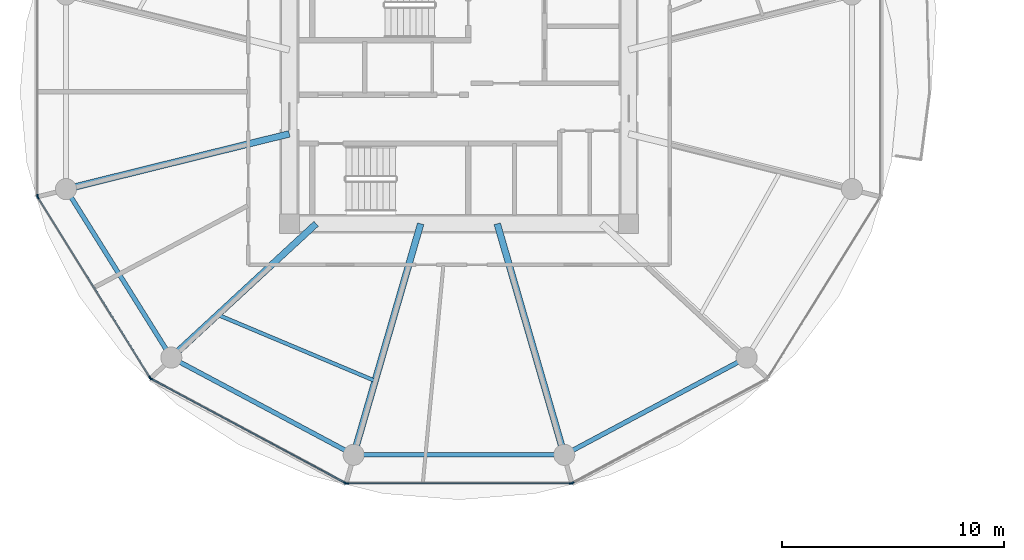
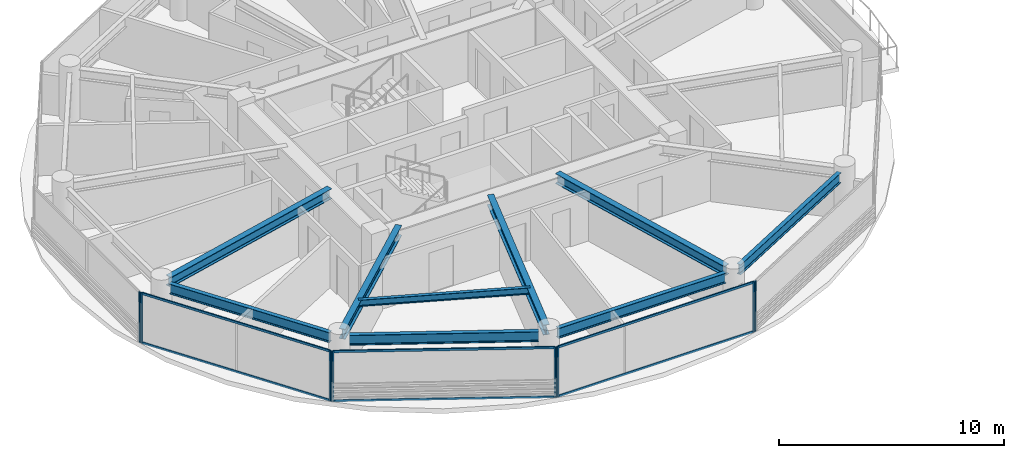
# One storey, part 2 of 26: 14 members, 9 beams, 5 elements without a shape of their own.
"""IFC4 building model written with IfcOpenShell, lengths in metres."""

import ifcopenshell
import ifcopenshell.guid

model = None  # the IFC model being written
_history = None  # IfcOwnerHistory: only IFC2X3 demands one
_inside = {}  # id of a spatial element -> (the spatial element, [elements in it])
_under = {}  # id of a project, library or spatial element -> (it, [spatial elements below it])
_declared = {}  # id of a project -> (the project, [libraries it declares])
_typed = {}  # id of a type object -> (the type object, [elements of that type])
_made_of = {}  # id of a material, layer set ... -> (it, [elements and type objects made of it])


def new_model(schema):
    """Start an empty IFC model of exactly this schema.

    Asked for "IFC4X3", IfcOpenShell would pick the latest addendum, in which some entities
    have other attributes; the version numbers below select the first issue.
    IFC2X3 requires an IfcOwnerHistory on every rooted entity: one is made here for all.
    """
    global model, _history
    if schema == "IFC4X3":
        model = ifcopenshell.file(schema_version=(4, 3, 0, 0))
    else:
        model = ifcopenshell.file(schema=schema)
    _inside.clear()
    _under.clear()
    _declared.clear()
    _typed.clear()
    _made_of.clear()
    _history = None
    if model.schema == "IFC2X3":
        org = make("IfcOrganization", Name="unknown")
        user = make(
            "IfcPersonAndOrganization",
            ThePerson=make("IfcPerson", FamilyName="unknown"),
            TheOrganization=org,
        )
        app = make(
            "IfcApplication",
            ApplicationDeveloper=org,
            Version="unknown",
            ApplicationFullName="unknown",
            ApplicationIdentifier="unknown",
        )
        _history = make(
            "IfcOwnerHistory",
            OwningUser=user,
            OwningApplication=app,
            ChangeAction="ADDED",
            CreationDate=0,
        )
    return model


def make(cls, **values):
    """One entity of the class cls with the attributes given. An attribute that is None is left unset."""
    return model.create_entity(
        cls, **{name: value for name, value in values.items() if value is not None}
    )


def rooted(cls, **values):
    """An entity with a GlobalId (a new one), such as an element, a storey or a relation."""
    return make(cls, GlobalId=ifcopenshell.guid.new(), OwnerHistory=_history, **values)


def si_unit(unit_type, name, prefix=None):
    """IfcSIUnit, for example si_unit("LENGTHUNIT", "METRE", prefix="MILLI")."""
    return make("IfcSIUnit", UnitType=unit_type, Prefix=prefix, Name=name)


def assignment(units):
    """IfcUnitAssignment: the units of a project."""
    return None if units is None else make("IfcUnitAssignment", Units=units)


def point(xyz):
    """IfcCartesianPoint."""
    return None if xyz is None else make("IfcCartesianPoint", Coordinates=xyz)


def direction(xyz):
    """IfcDirection."""
    return None if xyz is None else make("IfcDirection", DirectionRatios=xyz)


def frame(location, z_axis=None, x_axis=None):
    """IfcAxis2Placement3D, a coordinate frame: its origin and axes. An axis left out is left unset."""
    return make(
        "IfcAxis2Placement3D",
        Location=point(location),
        Axis=direction(z_axis),
        RefDirection=direction(x_axis),
    )


def frame_2d(location, x_axis=None):
    """IfcAxis2Placement2D, a coordinate frame in the plane: its origin and x axis."""
    return make(
        "IfcAxis2Placement2D", Location=point(location), RefDirection=direction(x_axis)
    )


def origin():
    """The frame at (0, 0, 0) with its axes left unset."""
    return frame((0.0, 0.0, 0.0))


def origin_2d():
    """The frame at (0, 0) in the plane with its x axis left unset."""
    return frame_2d((0.0, 0.0))


def place(relative_to, where):
    """IfcLocalPlacement: puts the frame where relative to a parent placement (None: the world)."""
    return make(
        "IfcLocalPlacement", PlacementRelTo=relative_to, RelativePlacement=where
    )


def context(
    kind, dimensions, precision=None, world=None, true_north=None, identifier=None
):
    """IfcGeometricRepresentationContext, for example the 3D "Model" context."""
    return make(
        "IfcGeometricRepresentationContext",
        ContextIdentifier=identifier,
        ContextType=kind,
        CoordinateSpaceDimension=dimensions,
        Precision=precision,
        WorldCoordinateSystem=world,
        TrueNorth=true_north,
    )


def subcontext(parent, identifier, kind, view, scale=None):
    """IfcGeometricRepresentationSubContext, for example "Body" below "Model"."""
    return make(
        "IfcGeometricRepresentationSubContext",
        ContextIdentifier=identifier,
        ContextType=kind,
        ParentContext=parent,
        TargetScale=scale,
        TargetView=view,
    )


def project(units=None, contexts=None):
    """IfcProject with its units and contexts."""
    return rooted(
        "IfcProject",
        Name="project",
        RepresentationContexts=contexts,
        UnitsInContext=assignment(units),
    )


def spatial(cls, under=None, at=None, **own):
    """A site, building, storey or space (cls), placed at a placement, below another one or the project."""
    s = rooted(cls, ObjectPlacement=at, **own)
    if under is not None:
        _under.setdefault(under.id(), (under, []))[1].append(s)
    return s


def profile(cls, at=None, kind="AREA", **sizes):
    """A parametric profile (cls). Its sizes go by their IFC names, for example OverallWidth=200.0."""
    return make(cls, ProfileType=kind, Position=at, **sizes)


def rectangle(**sizes):
    """IfcRectangleProfileDef."""
    return profile("IfcRectangleProfileDef", **sizes)


def i_section(**sizes):
    """IfcIShapeProfileDef."""
    return profile("IfcIShapeProfileDef", **sizes)


def extrude(swept, where, along, depth):
    """IfcExtrudedAreaSolid: the profile swept, set in the frame where, extruded along a direction by depth."""
    return make(
        "IfcExtrudedAreaSolid",
        SweptArea=swept,
        Position=where,
        ExtrudedDirection=direction(along),
        Depth=depth,
    )


def shape(context_of_items, identifier, shape_type, items):
    """IfcShapeRepresentation: the items that make up one representation, for example the "Body"."""
    return make(
        "IfcShapeRepresentation",
        ContextOfItems=context_of_items,
        RepresentationIdentifier=identifier,
        RepresentationType=shape_type,
        Items=items,
    )


def source(mapping_origin, context_of_items, identifier, shape_type, items):
    """IfcRepresentationMap: a shape defined once, which mapped items show again and again."""
    return make(
        "IfcRepresentationMap",
        MappingOrigin=mapping_origin,
        MappedRepresentation=shape(context_of_items, identifier, shape_type, items),
    )


def transform(
    local_origin,
    x_axis=None,
    y_axis=None,
    z_axis=None,
    scale=None,
    scale2=None,
    scale3=None,
    uniform=True,
):
    """IfcCartesianTransformationOperator3D, or its non-uniform kind. x_axis, y_axis, z_axis: its Axis1, 2, 3."""
    if uniform:
        return make(
            "IfcCartesianTransformationOperator3D",
            Axis1=direction(x_axis),
            Axis2=direction(y_axis),
            LocalOrigin=point(local_origin),
            Scale=scale,
            Axis3=direction(z_axis),
        )
    return make(
        "IfcCartesianTransformationOperator3DnonUniform",
        Axis1=direction(x_axis),
        Axis2=direction(y_axis),
        LocalOrigin=point(local_origin),
        Scale=scale,
        Axis3=direction(z_axis),
        Scale2=scale2,
        Scale3=scale3,
    )


def mapped(mapping_source, mapping_target):
    """IfcMappedItem: shows the shape of a source again, moved by a transform."""
    return make(
        "IfcMappedItem", MappingSource=mapping_source, MappingTarget=mapping_target
    )


def material(Name=None, Category=None):
    """IfcMaterial."""
    return make("IfcMaterial", Name=Name, Category=Category)


def layer(
    of_material, thickness, ventilated=None, Name=None, Category=None, Priority=None
):
    """IfcMaterialLayer: one layer of a wall or slab, of a material (None: an air gap)."""
    return make(
        "IfcMaterialLayer",
        Material=of_material,
        LayerThickness=thickness,
        IsVentilated=ventilated,
        Name=Name,
        Category=Category,
        Priority=Priority,
    )


def layer_set(layers, Name=None):
    """IfcMaterialLayerSet."""
    return make("IfcMaterialLayerSet", MaterialLayers=layers, LayerSetName=Name)


def material_profile(
    of_material, cross_section, Name=None, Category=None, Priority=None
):
    """IfcMaterialProfile: a cross section and its material."""
    return make(
        "IfcMaterialProfile",
        Name=Name,
        Material=of_material,
        Profile=cross_section,
        Priority=Priority,
        Category=Category,
    )


def profile_set(profiles, Name=None, composite=None):
    """IfcMaterialProfileSet."""
    return make(
        "IfcMaterialProfileSet",
        Name=Name,
        MaterialProfiles=profiles,
        CompositeProfile=composite,
    )


def made_of(thing, what):
    """Note that an element or type object is made of a material, layer set ...; save() writes the relation."""
    if what is not None:
        _made_of.setdefault(what.id(), (what, []))[1].append(thing)
    return thing


def type_object(cls, material=None, **own):
    """A type object (cls), such as IfcWallType, which elements share."""
    return made_of(rooted(cls, **own), material)


def type_shapes(of_type, sources):
    """Give a type object the sources (RepresentationMaps) that its elements show as mapped items."""
    of_type.RepresentationMaps = sources


def element(
    cls,
    number,
    at=None,
    inside=None,
    cuts=None,
    type_object=None,
    material=None,
    context=None,
    identifier="Body",
    shape_type=None,
    held_by="IfcProductDefinitionShape",
    body=None,
    shapes=None,
    **own,
):
    """One element of the class cls, such as IfcWall. Its Tag is "e" and its number.

    at: its placement. inside: the storey or other place that contains it. cuts: it is an
    opening in that element (IfcRelVoidsElement). A single representation is given by context,
    identifier, shape_type and body (its items); several are given by shapes. held_by: the class
    of the entity that holds the representations. save() writes the other relations.
    """
    e = rooted(cls, Tag="e%d" % number, ObjectPlacement=at, **own)
    if body is not None:
        shapes = [shape(context, identifier, shape_type, body)]
    if shapes is not None:
        e.Representation = make(held_by, Representations=shapes)
    if inside is not None:
        _inside.setdefault(inside.id(), (inside, []))[1].append(e)
    if cuts is not None:
        rooted(
            "IfcRelVoidsElement", RelatingBuildingElement=cuts, RelatedOpeningElement=e
        )
    if type_object is not None:
        _typed.setdefault(type_object.id(), (type_object, []))[1].append(e)
    return made_of(e, material)


def aggregate(whole, parts):
    """IfcRelAggregates: a whole, such as a stair, and the parts it consists of."""
    return rooted("IfcRelAggregates", RelatingObject=whole, RelatedObjects=parts)


def save(model, path):
    """Write the relations noted so far, then the file.

    IfcRelAggregates (storeys below a building ...), IfcRelContainedInSpatialStructure (elements
    in a storey), IfcRelDefinesByType, IfcRelAssociatesMaterial and IfcRelDeclares: one each for
    every whole, place, type object, material and project.
    """
    for whole, parts in _under.values():
        aggregate(whole, parts)
    for where, things in _inside.values():
        rooted(
            "IfcRelContainedInSpatialStructure",
            RelatedElements=things,
            RelatingStructure=where,
        )
    for kind, things in _typed.values():
        rooted("IfcRelDefinesByType", RelatedObjects=things, RelatingType=kind)
    for what, things in _made_of.values():
        rooted("IfcRelAssociatesMaterial", RelatedObjects=things, RelatingMaterial=what)
    for by, libraries in _declared.values():
        rooted("IfcRelDeclares", RelatingContext=by, RelatedDefinitions=libraries)
    model.write(path)


model = new_model("IFC4")

# Units and contexts
model_context = context("Model", 3, precision=1e-05, world=origin(), true_north=direction((0.0, 1.0)))
body_context = subcontext(model_context, "Body", "Model", "MODEL_VIEW")
ifc_project = project(units=[si_unit("LENGTHUNIT", "METRE"), si_unit("AREAUNIT", "SQUARE_METRE"), si_unit("VOLUMEUNIT", "CUBIC_METRE"), si_unit("PLANEANGLEUNIT", "RADIAN"), si_unit("MASSUNIT", "GRAM", prefix="KILO")], contexts=[model_context])

# Site, building, storey
site_placement = place(None, origin())
site = spatial("IfcSite", under=ifc_project, at=site_placement, CompositionType="ELEMENT")
building_placement = place(site_placement, origin())
building = spatial("IfcBuilding", under=site, at=building_placement, Name="Norrkilde Senior Care Towers", CompositionType="ELEMENT")
storey_placement = place(building_placement, frame((0.0, 0.0, 70.39990234375)))
storey = spatial("IfcBuildingStorey", under=building, at=storey_placement, Name="L21", CompositionType="ELEMENT", Elevation=70.39990234375)

# Beams
ifc_material_1 = material(Name="Steel S355", Category="steel")
ifc_material_profile_1 = material_profile(ifc_material_1, i_section(OverallWidth=0.2099609375, OverallDepth=0.550048828125, WebThickness=0.010986328125, FlangeThickness=0.01708984375, FilletRadius=0.02392578125, at=origin_2d()), Name="IPE 550")
ifc_profile_set_1 = profile_set([ifc_material_profile_1], Name="Steel S355")
beam_type_1 = type_object("IfcBeamType", Name="Perimeter Ring Spandrel Z1 IPE550", PredefinedType="SPANDREL", material=ifc_profile_set_1)
shared_shape_1 = source(origin(), body_context, "Body", "SweptSolid", [
    extrude(i_section(OverallWidth=0.2099609375, OverallDepth=0.550048828125, WebThickness=0.010986328125, FlangeThickness=0.01708984375, FilletRadius=0.02392578125, at=origin_2d()), origin(), (0.0, 0.0, 1.0), 8.090576171875),
])
beam_1_placement = place(storey_placement, frame((-45.494140625, -4.755859375, 2.455078125), z_axis=(0.530004364821, -0.84799491347, 0.0), x_axis=(0.84799491347, 0.530004364821, 0.0)))
element("IfcBeam", 1, at=beam_1_placement, inside=storey, type_object=beam_type_1, Name="L21 Drum W Perimeter Spandrel 07", PredefinedType="SPANDREL", context=body_context, shape_type="MappedRepresentation", body=[
    mapped(shared_shape_1, transform((0.0, 0.0, 0.0), x_axis=(1.0, 0.0, 0.0), y_axis=(0.0, 1.0, 0.0), z_axis=(0.0, 0.0, 1.0), scale=1.0)),
])
ifc_material_profile_2 = material_profile(ifc_material_1, i_section(OverallWidth=0.300048828125, OverallDepth=0.550048828125, WebThickness=0.014892578125, FlangeThickness=0.029052734375, FilletRadius=0.027099609375, at=origin_2d()), Name="HEB 550")
ifc_profile_set_2 = profile_set([ifc_material_profile_2], Name="Steel S355")
beam_type_2 = type_object("IfcBeamType", Name="Radial Floor Beam Z1 HEB550", PredefinedType="BEAM", material=ifc_profile_set_2)
shared_shape_2 = source(origin(), body_context, "Body", "SweptSolid", [
    extrude(i_section(OverallWidth=0.300048828125, OverallDepth=0.550048828125, WebThickness=0.014892578125, FlangeThickness=0.029052734375, FilletRadius=0.027099609375, at=origin_2d()), origin(), (0.0, 0.0, 1.0), 9.94384765625),
])
beam_2_placement = place(storey_placement, frame((-35.64990234375, -1.893310546875, 2.455078125), z_axis=(-0.970707425182, -0.240264634718, 0.0), x_axis=(0.240264634718, -0.970707425182, 0.0)))
element("IfcBeam", 2, at=beam_2_placement, inside=storey, type_object=beam_type_2, Name="L21 Drum W Radial Floor Beam 07", PredefinedType="BEAM", context=body_context, shape_type="MappedRepresentation", body=[
    mapped(shared_shape_2, transform((0.0, 0.0, 0.0), x_axis=(1.0, 0.0, 0.0), y_axis=(0.0, 1.0, 0.0), z_axis=(0.0, 0.0, 1.0), scale=1.0)),
])
shared_shape_3 = source(origin(), body_context, "Body", "SweptSolid", [
    extrude(i_section(OverallWidth=0.2099609375, OverallDepth=0.550048828125, WebThickness=0.010986328125, FlangeThickness=0.01708984375, FilletRadius=0.02392578125, at=origin_2d()), origin(), (0.0, 0.0, 1.0), 8.452880859375),
])
for number, where, z_axis, x_axis, name in (
    (3, (-40.591552734375, -12.190185546875, 2.455078125), (0.882368931134, -0.470558252898, 0.0), (0.470558252898, 0.882368931134, 0.0), "L21 Drum W Perimeter Spandrel 08"),
    (4, (-22.866943359375, -16.167724609375, 2.455078125), (0.882368931134, 0.470558252898, 0.0), (-0.470558252898, 0.882368931134, 0.0), "L21 Drum W Perimeter Spandrel 10"),
):
    element("IfcBeam", number, at=place(storey_placement, frame(where, z_axis=z_axis, x_axis=x_axis)), inside=storey, type_object=beam_type_1, Name=name, PredefinedType="SPANDREL", context=body_context, shape_type="MappedRepresentation", body=[
        mapped(shared_shape_3, transform((0.0, 0.0, 0.0), x_axis=(1.0, 0.0, 0.0), y_axis=(0.0, 1.0, 0.0), z_axis=(0.0, 0.0, 1.0), scale=1.0)),
    ])
shared_shape_4 = source(origin(), body_context, "Body", "SweptSolid", [
    extrude(i_section(OverallWidth=0.300048828125, OverallDepth=0.550048828125, WebThickness=0.014892578125, FlangeThickness=0.029052734375, FilletRadius=0.027099609375, at=origin_2d()), origin(), (0.0, 0.0, 1.0), 8.459716796875),
])
beam_3_placement = place(storey_placement, frame((-34.44140625, -5.949951171875, 2.455078125), z_axis=(-0.734573269108, -0.678529374686, 0.0), x_axis=(0.678529374686, -0.734573269108, 0.0)))
element("IfcBeam", 5, at=beam_3_placement, inside=storey, type_object=beam_type_2, Name="L21 Drum W Radial Floor Beam 08", PredefinedType="BEAM", context=body_context, shape_type="MappedRepresentation", body=[
    mapped(shared_shape_4, transform((0.0, 0.0, 0.0), x_axis=(1.0, 0.0, 0.0), y_axis=(0.0, 1.0, 0.0), z_axis=(0.0, 0.0, 1.0), scale=1.0)),
])
shared_shape_5 = source(origin(), body_context, "Body", "SweptSolid", [
    extrude(i_section(OverallWidth=0.2099609375, OverallDepth=0.550048828125, WebThickness=0.010986328125, FlangeThickness=0.01708984375, FilletRadius=0.02392578125, at=origin_2d()), origin(), (0.0, 0.0, 1.0), 8.62841796875),
])
type_shapes(beam_type_1, [shared_shape_1, shared_shape_3, shared_shape_5])
beam_4_placement = place(storey_placement, frame((-32.314208984375, -16.37255859375, 2.455078125), z_axis=(1.0, 0.0, 0.0), x_axis=(0.0, 1.0, 0.0)))
element("IfcBeam", 6, at=beam_4_placement, inside=storey, type_object=beam_type_1, Name="L21 Drum W Perimeter Spandrel 09", PredefinedType="SPANDREL", context=body_context, shape_type="MappedRepresentation", body=[
    mapped(shared_shape_5, transform((0.0, 0.0, 0.0), x_axis=(1.0, 0.0, 0.0), y_axis=(0.0, 1.0, 0.0), z_axis=(0.0, 0.0, 1.0), scale=1.0)),
])
shared_shape_6 = source(origin(), body_context, "Body", "SweptSolid", [
    extrude(i_section(OverallWidth=0.300048828125, OverallDepth=0.550048828125, WebThickness=0.014892578125, FlangeThickness=0.029052734375, FilletRadius=0.027099609375, at=origin_2d()), origin(), (0.0, 0.0, 1.0), 10.4169921875),
])
type_shapes(beam_type_2, [shared_shape_2, shared_shape_4, shared_shape_6])
for number, where, z_axis, x_axis, name in (
    (7, (-29.72607421875, -5.949951171875, 2.455078125), (-0.278591250785, -0.960409764104, 0.0), (0.960409764104, -0.278591250785, 0.0), "L21 Drum W Radial Floor Beam 09"),
    (8, (-26.27392578125, -5.949951171875, 2.455078125), (0.278591250785, -0.960409764104, 0.0), (0.960409764104, 0.278591250785, 0.0), "L21 Drum W Radial Floor Beam 10"),
):
    element("IfcBeam", number, at=place(storey_placement, frame(where, z_axis=z_axis, x_axis=x_axis)), inside=storey, type_object=beam_type_2, Name=name, PredefinedType="BEAM", context=body_context, shape_type="MappedRepresentation", body=[
        mapped(shared_shape_6, transform((0.0, 0.0, 0.0), x_axis=(1.0, 0.0, 0.0), y_axis=(0.0, 1.0, 0.0), z_axis=(0.0, 0.0, 1.0), scale=1.0)),
    ])
ifc_material_profile_3 = material_profile(ifc_material_1, i_section(OverallWidth=0.169921875, OverallDepth=0.360107421875, WebThickness=0.008056640625, FlangeThickness=0.0126953125, FilletRadius=0.01806640625, at=origin_2d()), Name="IPE 360")
ifc_profile_set_3 = profile_set([ifc_material_profile_3], Name="Steel S355")
beam_type_3 = type_object("IfcBeamType", Name="Secondary Floor Joist IPE360", PredefinedType="JOIST", material=ifc_profile_set_3)
shared_shape_7 = source(origin(), body_context, "Body", "SweptSolid", [
    extrude(i_section(OverallWidth=0.169921875, OverallDepth=0.360107421875, WebThickness=0.008056640625, FlangeThickness=0.0126953125, FilletRadius=0.01806640625, at=origin_2d()), origin(), (0.0, 0.0, 1.0), 7.703857421875),
])
type_shapes(beam_type_3, [shared_shape_7])
beam_5_placement = place(storey_placement, frame((-38.884521484375, -10.05419921875, 2.550048828125), z_axis=(0.921982784465, -0.387230868023, 0.0), x_axis=(0.387230868023, 0.921982784465, 0.0)))
element("IfcBeam", 9, at=beam_5_placement, inside=storey, type_object=beam_type_3, Name="L21 Drum W Secondary Floor Joist 3", PredefinedType="JOIST", context=body_context, shape_type="MappedRepresentation", body=[
    mapped(shared_shape_7, transform((0.0, 0.0, 0.0), x_axis=(1.0, 0.0, 0.0), y_axis=(0.0, 1.0, 0.0), z_axis=(0.0, 0.0, 1.0), scale=1.0)),
])

# Curtain wall, members
ifc_material_2 = material(Name="Triple Low-E Insulated Glazing", Category="glass")
ifc_layer = layer(ifc_material_2, 0.199951171875)
ifc_layer_set = layer_set([ifc_layer], Name="Triple Low-E Insulated Glazing")
curtain_wall_type = type_object("IfcCurtainWallType", Name="CW2 Zone 1 Memory Care Curtain Wall", PredefinedType="NOTDEFINED", material=ifc_layer_set)
curtain_wall_1_placement = place(storey_placement, origin())
curtain_wall_1 = element("IfcCurtainWall", 10, at=curtain_wall_1_placement, inside=storey, type_object=curtain_wall_type, Name="L21 Drum W Curtain Wall 06", PredefinedType="NOTDEFINED")
ifc_material_3 = material(Name="Anodised Aluminium", Category="aluminium")
ifc_material_profile_4 = material_profile(ifc_material_3, rectangle(XDim=0.06005859375, YDim=0.1201171875, at=origin_2d()), Name="ALU TRAN 60x120")
ifc_profile_set_4 = profile_set([ifc_material_profile_4], Name="Anodised Aluminium")
member_type_1 = type_object("IfcMemberType", Name="Curtain Wall Transom Typical 60x120", PredefinedType="USERDEFINED", material=ifc_profile_set_4)
shared_shape_8 = source(origin(), body_context, "Body", "SweptSolid", [
    extrude(rectangle(XDim=0.06005859375, YDim=0.1201171875, at=origin_2d()), origin(), (0.0, 0.0, 1.0), 9.5185546875),
])
member_1_placement = place(storey_placement, frame((-41.9501953125, -12.87060546875, 0.030029296875), z_axis=(-0.527901620669, 0.849305527413, 0.0), x_axis=(-0.849305527413, -0.527901620669, 0.0)))
member_1 = element("IfcMember", 11, at=member_1_placement, type_object=member_type_1, Name="CW-2 transom 1.1", ObjectType="TRANSOM", PredefinedType="USERDEFINED", context=body_context, shape_type="MappedRepresentation", body=[
    mapped(shared_shape_8, transform((0.0, 0.0, 0.0), x_axis=(1.0, 0.0, 0.0), y_axis=(0.0, 1.0, 0.0), z_axis=(0.0, 0.0, 1.0), scale=1.0)),
])
member_2_placement = place(storey_placement, frame((-41.9501953125, -12.87060546875, 2.7001953125), z_axis=(-0.527901620669, 0.849305527413, 0.0), x_axis=(-0.849305527413, -0.527901620669, 0.0)))
member_2 = element("IfcMember", 12, at=member_2_placement, type_object=member_type_1, Name="CW-2 transom 1.2", ObjectType="TRANSOM", PredefinedType="USERDEFINED", context=body_context, shape_type="MappedRepresentation", body=[
    mapped(shared_shape_8, transform((0.0, 0.0, 0.0), x_axis=(1.0, 0.0, 0.0), y_axis=(0.0, 1.0, 0.0), z_axis=(0.0, 0.0, 1.0), scale=1.0)),
])

curtain_wall_2_placement = place(storey_placement, origin())
curtain_wall_2 = element("IfcCurtainWall", 13, at=curtain_wall_2_placement, inside=storey, type_object=curtain_wall_type, Name="L21 Drum W Curtain Wall 07", PredefinedType="NOTDEFINED")
shared_shape_9 = source(origin(), body_context, "Body", "SweptSolid", [
    extrude(rectangle(XDim=0.06005859375, YDim=0.1201171875, at=origin_2d()), origin(), (0.0, 0.0, 1.0), 9.880859375),
])
member_3_placement = place(storey_placement, frame((-33.15087890625, -17.62646484375, 0.030029296875), z_axis=(-0.881267204043, 0.47261836092, 0.0), x_axis=(-0.47261836092, -0.881267204043, 0.0)))
member_3 = element("IfcMember", 14, at=member_3_placement, type_object=member_type_1, Name="CW-2 transom 1.1", ObjectType="TRANSOM", PredefinedType="USERDEFINED", context=body_context, shape_type="MappedRepresentation", body=[
    mapped(shared_shape_9, transform((0.0, 0.0, 0.0), x_axis=(1.0, 0.0, 0.0), y_axis=(0.0, 1.0, 0.0), z_axis=(0.0, 0.0, 1.0), scale=1.0)),
])
member_4_placement = place(storey_placement, frame((-33.15087890625, -17.62646484375, 2.7001953125), z_axis=(-0.881267204043, 0.47261836092, 0.0), x_axis=(-0.47261836092, -0.881267204043, 0.0)))
member_4 = element("IfcMember", 15, at=member_4_placement, type_object=member_type_1, Name="CW-2 transom 1.2", ObjectType="TRANSOM", PredefinedType="USERDEFINED", context=body_context, shape_type="MappedRepresentation", body=[
    mapped(shared_shape_9, transform((0.0, 0.0, 0.0), x_axis=(1.0, 0.0, 0.0), y_axis=(0.0, 1.0, 0.0), z_axis=(0.0, 0.0, 1.0), scale=1.0)),
])

curtain_wall_3_placement = place(storey_placement, origin())
curtain_wall_3 = element("IfcCurtainWall", 16, at=curtain_wall_3_placement, inside=storey, type_object=curtain_wall_type, Name="L21 Drum W Curtain Wall 08", PredefinedType="NOTDEFINED")
shared_shape_10 = source(origin(), body_context, "Body", "SweptSolid", [
    extrude(rectangle(XDim=0.06005859375, YDim=0.1201171875, at=origin_2d()), origin(), (0.0, 0.0, 1.0), 10.05712890625),
])
type_shapes(member_type_1, [shared_shape_8, shared_shape_9, shared_shape_10])
member_5_placement = place(storey_placement, frame((-22.971435546875, -17.6572265625, 0.030029296875), z_axis=(-1.0, 0.0, 0.0), x_axis=(0.0, -1.0, 0.0)))
member_5 = element("IfcMember", 17, at=member_5_placement, type_object=member_type_1, Name="CW-2 transom 1.1", ObjectType="TRANSOM", PredefinedType="USERDEFINED", context=body_context, shape_type="MappedRepresentation", body=[
    mapped(shared_shape_10, transform((0.0, 0.0, 0.0), x_axis=(1.0, 0.0, 0.0), y_axis=(0.0, 1.0, 0.0), z_axis=(0.0, 0.0, 1.0), scale=1.0)),
])
member_6_placement = place(storey_placement, frame((-22.971435546875, -17.6572265625, 2.7001953125), z_axis=(-1.0, 0.0, 0.0), x_axis=(0.0, -1.0, 0.0)))
member_6 = element("IfcMember", 18, at=member_6_placement, type_object=member_type_1, Name="CW-2 transom 1.2", ObjectType="TRANSOM", PredefinedType="USERDEFINED", context=body_context, shape_type="MappedRepresentation", body=[
    mapped(shared_shape_10, transform((0.0, 0.0, 0.0), x_axis=(1.0, 0.0, 0.0), y_axis=(0.0, 1.0, 0.0), z_axis=(0.0, 0.0, 1.0), scale=1.0)),
])

# Curtain wall, member
curtain_wall_4_placement = place(storey_placement, origin())
curtain_wall_4 = element("IfcCurtainWall", 19, at=curtain_wall_4_placement, inside=storey, type_object=curtain_wall_type, Name="L21 Drum W Curtain Wall 05", PredefinedType="NOTDEFINED")
ifc_material_profile_5 = material_profile(ifc_material_3, rectangle(XDim=0.06494140625, YDim=0.159912109375, at=origin_2d()), Name="ALU MULL 65x160")
ifc_profile_set_5 = profile_set([ifc_material_profile_5], Name="Anodised Aluminium")
member_type_2 = type_object("IfcMemberType", Name="Curtain Wall Mullion Z1-Z2 65x160", PredefinedType="MULLION", material=ifc_profile_set_5)
shared_shape_11 = source(origin(), body_context, "Body", "SweptSolid", [
    extrude(rectangle(XDim=0.06494140625, YDim=0.159912109375, at=origin_2d()), origin(), (0.0, 0.0, 1.0), 2.72998046875),
])
type_shapes(member_type_2, [shared_shape_11])
member_7_placement = place(storey_placement, frame((-47.009521484375, -4.69873046875, 0.0), z_axis=(0.0, 0.0, 1.0), x_axis=(-1.0, 0.0, 0.0)))
member_7 = element("IfcMember", 20, at=member_7_placement, type_object=member_type_2, Name="CW-2 mullion 1", PredefinedType="MULLION", context=body_context, shape_type="MappedRepresentation", body=[
    mapped(shared_shape_11, transform((0.0, 0.0, 0.0), x_axis=(1.0, 0.0, 0.0), y_axis=(0.0, 1.0, 0.0), z_axis=(0.0, 0.0, 1.0), scale=1.0)),
])
aggregate(curtain_wall_4, [member_7])

# Member
member_8_placement = place(storey_placement, frame((-41.93310546875, -12.898193359375, 0.0), z_axis=(0.0, 0.0, 1.0), x_axis=(-0.849305943117, -0.527900951871, 0.0)))
member_8 = element("IfcMember", 21, at=member_8_placement, type_object=member_type_2, Name="CW-2 mullion 1", PredefinedType="MULLION", context=body_context, shape_type="MappedRepresentation", body=[
    mapped(shared_shape_11, transform((0.0, 0.0, 0.0), x_axis=(1.0, 0.0, 0.0), y_axis=(0.0, 1.0, 0.0), z_axis=(0.0, 0.0, 1.0), scale=1.0)),
])

member_9_placement = place(storey_placement, frame((-46.9921875, -4.7587890625, 0.0), z_axis=(0.0, 0.0, 1.0), x_axis=(-0.849305943117, -0.527900951871, 0.0)))
member_9 = element("IfcMember", 22, at=member_9_placement, type_object=member_type_2, Name="CW-2 mullion 2", PredefinedType="MULLION", context=body_context, shape_type="MappedRepresentation", body=[
    mapped(shared_shape_11, transform((0.0, 0.0, 0.0), x_axis=(1.0, 0.0, 0.0), y_axis=(0.0, 1.0, 0.0), z_axis=(0.0, 0.0, 1.0), scale=1.0)),
])

aggregate(curtain_wall_1, [member_8, member_9, member_1, member_2])

member_10_placement = place(storey_placement, frame((-33.122314453125, -17.641845703125, 0.0), z_axis=(0.0, 0.0, 1.0), x_axis=(-0.472607802456, -0.881272866403, 0.0)))
member_10 = element("IfcMember", 23, at=member_10_placement, type_object=member_type_2, Name="CW-2 mullion 1", PredefinedType="MULLION", context=body_context, shape_type="MappedRepresentation", body=[
    mapped(shared_shape_11, transform((0.0, 0.0, 0.0), x_axis=(1.0, 0.0, 0.0), y_axis=(0.0, 1.0, 0.0), z_axis=(0.0, 0.0, 1.0), scale=1.0)),
])

member_11_placement = place(storey_placement, frame((-41.88720703125, -12.941162109375, 0.0), z_axis=(0.0, 0.0, 1.0), x_axis=(-0.472607802456, -0.881272866403, 0.0)))
member_11 = element("IfcMember", 24, at=member_11_placement, type_object=member_type_2, Name="CW-2 mullion 2", PredefinedType="MULLION", context=body_context, shape_type="MappedRepresentation", body=[
    mapped(shared_shape_11, transform((0.0, 0.0, 0.0), x_axis=(1.0, 0.0, 0.0), y_axis=(0.0, 1.0, 0.0), z_axis=(0.0, 0.0, 1.0), scale=1.0)),
])

aggregate(curtain_wall_2, [member_10, member_11, member_3, member_4])

member_12_placement = place(storey_placement, frame((-22.93896484375, -17.6572265625, 0.0), z_axis=(0.0, 0.0, 1.0), x_axis=(0.0, -1.0, 0.0)))
member_12 = element("IfcMember", 25, at=member_12_placement, type_object=member_type_2, Name="CW-2 mullion 1", PredefinedType="MULLION", context=body_context, shape_type="MappedRepresentation", body=[
    mapped(shared_shape_11, transform((0.0, 0.0, 0.0), x_axis=(1.0, 0.0, 0.0), y_axis=(0.0, 1.0, 0.0), z_axis=(0.0, 0.0, 1.0), scale=1.0)),
])

member_13_placement = place(storey_placement, frame((-33.06103515625, -17.6572265625, 0.0), z_axis=(0.0, 0.0, 1.0), x_axis=(0.0, -1.0, 0.0)))
member_13 = element("IfcMember", 26, at=member_13_placement, type_object=member_type_2, Name="CW-2 mullion 2", PredefinedType="MULLION", context=body_context, shape_type="MappedRepresentation", body=[
    mapped(shared_shape_11, transform((0.0, 0.0, 0.0), x_axis=(1.0, 0.0, 0.0), y_axis=(0.0, 1.0, 0.0), z_axis=(0.0, 0.0, 1.0), scale=1.0)),
])

aggregate(curtain_wall_3, [member_12, member_13, member_5, member_6])

# Curtain wall, member
curtain_wall_5_placement = place(storey_placement, origin())
curtain_wall_5 = element("IfcCurtainWall", 27, at=curtain_wall_5_placement, inside=storey, type_object=curtain_wall_type, Name="L21 Drum W Curtain Wall 09", PredefinedType="NOTDEFINED")
member_14_placement = place(storey_placement, frame((-22.877685546875, -17.641845703125, 0.0), z_axis=(0.0, 0.0, 1.0), x_axis=(0.472607802456, -0.881272866403, 0.0)))
member_14 = element("IfcMember", 28, at=member_14_placement, type_object=member_type_2, Name="CW-2 mullion 2", PredefinedType="MULLION", context=body_context, shape_type="MappedRepresentation", body=[
    mapped(shared_shape_11, transform((0.0, 0.0, 0.0), x_axis=(1.0, 0.0, 0.0), y_axis=(0.0, 1.0, 0.0), z_axis=(0.0, 0.0, 1.0), scale=1.0)),
])
aggregate(curtain_wall_5, [member_14])

save(model, "model.ifc")
